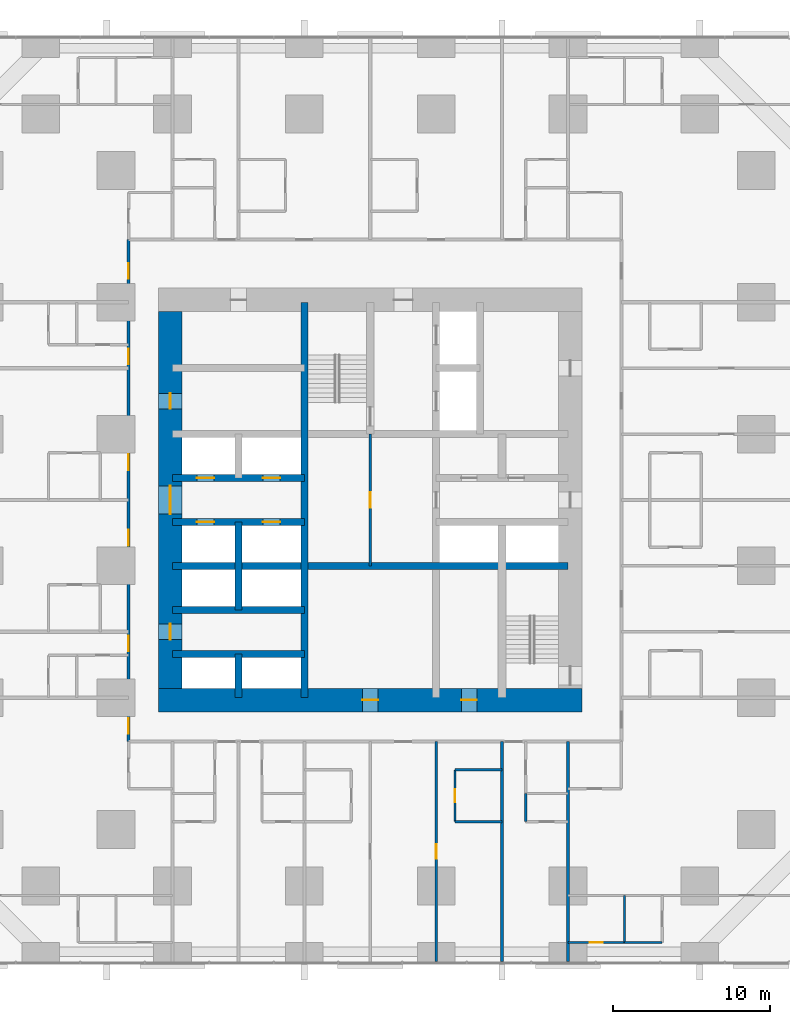
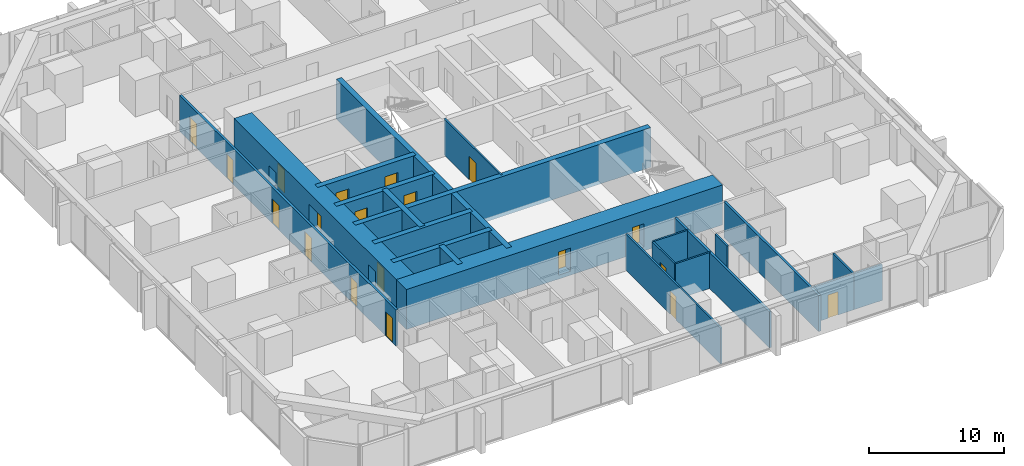
# One storey, part 12 of 17: 22 walls, 19 doors, 19 openings.
"""IFC4 building model written with IfcOpenShell, lengths in metres."""

from ifc_helpers import new_model, si_unit, direction, frame, frame_2d, origin, place, context, subcontext, project, spatial, rectangle, extrude, material, layer, layer_set, type_object, element, fill, save


model = new_model("IFC4")

# Units and contexts
model_context = context("Model", 3, precision=1e-05, world=origin(), true_north=direction((0.0, 1.0)))
body_context = subcontext(model_context, "Body", "Model", "MODEL_VIEW")
ifc_project = project(units=[si_unit("LENGTHUNIT", "METRE"), si_unit("AREAUNIT", "SQUARE_METRE"), si_unit("VOLUMEUNIT", "CUBIC_METRE"), si_unit("PLANEANGLEUNIT", "RADIAN"), si_unit("MASSUNIT", "GRAM", prefix="KILO")], contexts=[model_context])

# Site, building, storey
site_placement = place(None, origin())
site = spatial("IfcSite", under=ifc_project, at=site_placement, CompositionType="ELEMENT")
building_placement = place(site_placement, origin())
building = spatial("IfcBuilding", under=site, at=building_placement, Name="Dunama Terrace Hotel", CompositionType="ELEMENT")
storey_placement = place(building_placement, frame((0.0, 0.0, 81.0)))
storey = spatial("IfcBuildingStorey", under=building, at=storey_placement, Name="L20", CompositionType="ELEMENT", Elevation=81.0)

# Wall, opening, door
ifc_material_1 = material(Name="Gypsum board partition", Category="masonry")
ifc_layer_1 = layer(ifc_material_1, 0.14990234375)
ifc_layer_set_1 = layer_set([ifc_layer_1], Name="Bathroom partition 150")
wall_type_1 = type_object("IfcWallType", Name="Bathroom partition 150", PredefinedType="PARTITIONING", material=ifc_layer_set_1)
wall_1_placement = place(storey_placement, frame((34.800048828125, 8.89990234375, 0.0), z_axis=(0.0, 0.0, 1.0), x_axis=(0.0, 1.0, 0.0)))
wall_1 = element("IfcWall", 1, at=wall_1_placement, inside=storey, type_object=wall_type_1, Name="Bathroom partition 150 L20", PredefinedType="PARTITIONING", context=body_context, shape_type="SweptSolid", body=[
    extrude(rectangle(XDim=3.300048828125, YDim=0.14990234375, at=frame_2d((1.64990234375, 0.0))), origin(), (0.0, 0.0, 1.0), 3.25),
])
opening_1_placement = place(wall_1_placement, frame((1.22509765625, 0.0, 0.0)))
opening_1 = element("IfcOpeningElement", 2, at=opening_1_placement, cuts=wall_1, Name="Opening L20-019", PredefinedType="OPENING", context=body_context, shape_type="SweptSolid", body=[
    extrude(rectangle(XDim=0.85009765625, YDim=2.10009765625, at=frame_2d((0.425048828125, 1.050048828125))), frame((0.0, 0.0849609375, 0.0), z_axis=(0.0, -1.0, 0.0), x_axis=(1.0, 0.0, 0.0)), (0.0, 0.0, 1.0), 0.169921875),
])
ifc_material_2 = material(Name="Timber door with steel frame", Category="steel")
door_type_1 = type_object("IfcDoorType", Name="Bathroom door 850", OperationType="SINGLE_SWING_LEFT", PredefinedType="DOOR", material=ifc_material_2)
door_1_placement = place(opening_1_placement, frame((0.85009765625, 0.0, 0.0), z_axis=(0.0, 0.0, 1.0), x_axis=(-1.0, 0.0, 0.0)))
door_1 = element("IfcDoor", 3, at=door_1_placement, inside=storey, type_object=door_type_1, Name="Door to en-suite bathroom L20-019, type D2", OperationType="SINGLE_SWING_RIGHT", OverallHeight=2.10009765625, OverallWidth=0.85009765625, PredefinedType="DOOR", context=body_context, shape_type="SweptSolid", body=[
    extrude(rectangle(XDim=0.85009765625, YDim=2.10009765625, at=frame_2d((0.425048828125, 1.050048828125))), frame((0.0, 0.025146484375, 0.0), z_axis=(0.0, -1.0, 0.0), x_axis=(1.0, 0.0, 0.0)), (0.0, 0.0, 1.0), 0.050048828125),
])
fill(opening_1, door_1)

wall_2_placement = place(storey_placement, frame((42.0, 1.199951171875, 0.0), z_axis=(0.0, 0.0, 1.0), x_axis=(1.0, 0.0, 0.0)))
wall_2 = element("IfcWall", 4, at=wall_2_placement, inside=storey, type_object=wall_type_1, Name="Bathroom partition 150 L20", PredefinedType="PARTITIONING", context=body_context, shape_type="SweptSolid", body=[
    extrude(rectangle(XDim=3.60009765625, YDim=0.14990234375, at=frame_2d((1.800048828125, 0.0))), origin(), (0.0, 0.0, 1.0), 3.25),
])
opening_2_placement = place(wall_2_placement, frame((1.375, 0.0, 0.0)))
opening_2 = element("IfcOpeningElement", 5, at=opening_2_placement, cuts=wall_2, Name="Opening L20-061", PredefinedType="OPENING", context=body_context, shape_type="SweptSolid", body=[
    extrude(rectangle(XDim=0.85009765625, YDim=2.10009765625, at=frame_2d((0.425048828125, 1.050048828125))), frame((0.0, 0.0849609375, 0.0), z_axis=(0.0, -1.0, 0.0), x_axis=(1.0, 0.0, 0.0)), (0.0, 0.0, 1.0), 0.169921875),
])
door_2_placement = place(opening_2_placement, origin())
door_2 = element("IfcDoor", 6, at=door_2_placement, inside=storey, type_object=door_type_1, Name="Door to en-suite bathroom L20-061, type D2", OperationType="SINGLE_SWING_LEFT", OverallHeight=2.10009765625, OverallWidth=0.85009765625, PredefinedType="DOOR", context=body_context, shape_type="SweptSolid", body=[
    extrude(rectangle(XDim=0.85009765625, YDim=2.10009765625, at=frame_2d((0.425048828125, 1.050048828125))), frame((0.0, 0.02490234375, 0.0), z_axis=(0.0, -1.0, 0.0), x_axis=(1.0, 0.0, 0.0)), (0.0, 0.0, 1.0), 0.050048828125),
])
fill(opening_2, door_2)

# Walls
for number, where, z_axis, x_axis, name in (
    (7, (34.800048828125, 8.89990234375, 0.0), (0.0, 0.0, 1.0), (1.0, 0.0, 0.0), "Bathroom partition 150 L20"),
    (8, (34.800048828125, 12.199951171875, 0.0), (0.0, 0.0, 1.0), (1.0, 0.0, 0.0), "Bathroom partition 150 L20"),
):
    element("IfcWall", number, at=place(storey_placement, frame(where, z_axis=z_axis, x_axis=x_axis)), inside=storey, type_object=wall_type_1, Name=name, PredefinedType="PARTITIONING", context=body_context, shape_type="SweptSolid", body=[
        extrude(rectangle(XDim=3.0, YDim=0.14990234375, at=frame_2d((1.5, 0.0))), origin(), (0.0, 0.0, 1.0), 3.25),
    ])
ifc_material_3 = material(Name="Concrete C50/60", Category="concrete")
ifc_layer_2 = layer(ifc_material_3, 0.449951171875)
ifc_layer_set_2 = layer_set([ifc_layer_2], Name="Core inner wall 450")
wall_type_2 = type_object("IfcWallType", Name="Core inner wall 450", PredefinedType="SHEAR", material=ifc_layer_set_2)
wall_3_placement = place(storey_placement, frame((21.0, 16.800048828125, -0.35009765625), z_axis=(0.0, 0.0, 1.0), x_axis=(0.0, 1.0, 0.0)))
element("IfcWall", 9, at=wall_3_placement, inside=storey, type_object=wall_type_2, Name="Core inner wall 450 L20", PredefinedType="SHEAR", context=body_context, shape_type="SweptSolid", body=[
    extrude(rectangle(XDim=2.800048828125, YDim=0.449951171875, at=frame_2d((1.39990234375, 0.0))), origin(), (0.0, 0.0, 1.0), 3.60009765625),
])
wall_4_placement = place(storey_placement, frame((21.0, 22.39990234375, -0.35009765625), z_axis=(0.0, 0.0, 1.0), x_axis=(0.0, 1.0, 0.0)))
element("IfcWall", 10, at=wall_4_placement, inside=storey, type_object=wall_type_2, Name="Core inner wall 450 L20", PredefinedType="SHEAR", context=body_context, shape_type="SweptSolid", body=[
    extrude(rectangle(XDim=5.60009765625, YDim=0.449951171875, at=frame_2d((2.800048828125, 0.0))), origin(), (0.0, 0.0, 1.0), 3.60009765625),
])
wall_5_placement = place(storey_placement, frame((25.199951171875, 16.800048828125, -0.35009765625), z_axis=(0.0, 0.0, 1.0), x_axis=(0.0, 1.0, 0.0)))
element("IfcWall", 11, at=wall_5_placement, inside=storey, type_object=wall_type_2, Name="Core inner wall 450 L20", PredefinedType="SHEAR", context=body_context, shape_type="SweptSolid", body=[
    extrude(rectangle(XDim=25.199951171875, YDim=0.449951171875, at=frame_2d((12.60009765625, 0.0))), origin(), (0.0, 0.0, 1.0), 3.60009765625),
])
for number, where, z_axis, x_axis, name in (
    (12, (16.800048828125, 19.60009765625, -0.35009765625), (0.0, 0.0, 1.0), (1.0, 0.0, 0.0), "Core inner wall 450 L20"),
    (13, (16.800048828125, 22.39990234375, -0.35009765625), (0.0, 0.0, 1.0), (1.0, 0.0, 0.0), "Core inner wall 450 L20"),
):
    element("IfcWall", number, at=place(storey_placement, frame(where, z_axis=z_axis, x_axis=x_axis)), inside=storey, type_object=wall_type_2, Name=name, PredefinedType="SHEAR", context=body_context, shape_type="SweptSolid", body=[
        extrude(rectangle(XDim=8.39990234375, YDim=0.449951171875, at=frame_2d((4.199951171875, 0.0))), origin(), (0.0, 0.0, 1.0), 3.60009765625),
    ])
wall_6_placement = place(storey_placement, frame((16.800048828125, 25.199951171875, -0.35009765625), z_axis=(0.0, 0.0, 1.0), x_axis=(1.0, 0.0, 0.0)))
element("IfcWall", 14, at=wall_6_placement, inside=storey, type_object=wall_type_2, Name="Core inner wall 450 L20", PredefinedType="SHEAR", context=body_context, shape_type="SweptSolid", body=[
    extrude(rectangle(XDim=25.199951171875, YDim=0.449951171875, at=frame_2d((12.60009765625, 0.0))), origin(), (0.0, 0.0, 1.0), 3.60009765625),
])

# Wall, openings, doors
wall_7_placement = place(storey_placement, frame((16.800048828125, 28.0, -0.35009765625), z_axis=(0.0, 0.0, 1.0), x_axis=(1.0, 0.0, 0.0)))
wall_7 = element("IfcWall", 15, at=wall_7_placement, inside=storey, type_object=wall_type_2, Name="Core inner wall 450 L20", PredefinedType="SHEAR", context=body_context, shape_type="SweptSolid", body=[
    extrude(rectangle(XDim=8.39990234375, YDim=0.449951171875, at=frame_2d((4.199951171875, 0.0))), origin(), (0.0, 0.0, 1.0), 3.60009765625),
])
opening_3_placement = place(wall_7_placement, frame((1.550048828125, 0.0, 0.35009765625)))
opening_3 = element("IfcOpeningElement", 16, at=opening_3_placement, cuts=wall_7, Name="Opening L20-003", PredefinedType="OPENING", context=body_context, shape_type="SweptSolid", body=[
    extrude(rectangle(XDim=1.10009765625, YDim=2.199951171875, at=frame_2d((0.550048828125, 1.10009765625))), frame((0.0, 0.23486328125, 0.0), z_axis=(0.0, -1.0, 0.0), x_axis=(1.0, 0.0, 0.0)), (0.0, 0.0, 1.0), 0.469970703125),
])
opening_4_placement = place(wall_7_placement, frame((5.75, 0.0, 0.35009765625)))
opening_4 = element("IfcOpeningElement", 17, at=opening_4_placement, cuts=wall_7, Name="Opening L20-004", PredefinedType="OPENING", context=body_context, shape_type="SweptSolid", body=[
    extrude(rectangle(XDim=1.10009765625, YDim=2.199951171875, at=frame_2d((0.550048828125, 1.10009765625))), frame((0.0, 0.23486328125, 0.0), z_axis=(0.0, -1.0, 0.0), x_axis=(1.0, 0.0, 0.0)), (0.0, 0.0, 1.0), 0.469970703125),
])
ifc_material_4 = material(Name="Stainless steel lift door", Category="steel")
door_type_2 = type_object("IfcDoorType", Name="Lift landing door 1100", OperationType="DOUBLE_DOOR_SLIDING", PredefinedType="DOOR", material=ifc_material_4)
door_3_placement = place(opening_3_placement, origin())
door_3 = element("IfcDoor", 18, at=door_3_placement, inside=storey, type_object=door_type_2, Name="Landing door PA1 L20-003, type LD1", OperationType="DOUBLE_DOOR_SLIDING", OverallHeight=2.199951171875, OverallWidth=1.10009765625, PredefinedType="DOOR", context=body_context, shape_type="SweptSolid", body=[
    extrude(rectangle(XDim=1.10009765625, YDim=2.199951171875, at=frame_2d((0.550048828125, 1.10009765625))), frame((0.0, 0.02490234375, 0.0), z_axis=(0.0, -1.0, 0.0), x_axis=(1.0, 0.0, 0.0)), (0.0, 0.0, 1.0), 0.050048828125),
])
fill(opening_3, door_3)
door_4_placement = place(opening_4_placement, origin())
door_4 = element("IfcDoor", 19, at=door_4_placement, inside=storey, type_object=door_type_2, Name="Landing door PA2 L20-004, type LD1", OperationType="DOUBLE_DOOR_SLIDING", OverallHeight=2.199951171875, OverallWidth=1.10009765625, PredefinedType="DOOR", context=body_context, shape_type="SweptSolid", body=[
    extrude(rectangle(XDim=1.10009765625, YDim=2.199951171875, at=frame_2d((0.550048828125, 1.10009765625))), frame((0.0, 0.02490234375, 0.0), z_axis=(0.0, -1.0, 0.0), x_axis=(1.0, 0.0, 0.0)), (0.0, 0.0, 1.0), 0.050048828125),
])
fill(opening_4, door_4)

wall_8_placement = place(storey_placement, frame((16.800048828125, 30.800048828125, -0.35009765625), z_axis=(0.0, 0.0, 1.0), x_axis=(1.0, 0.0, 0.0)))
wall_8 = element("IfcWall", 20, at=wall_8_placement, inside=storey, type_object=wall_type_2, Name="Core inner wall 450 L20", PredefinedType="SHEAR", context=body_context, shape_type="SweptSolid", body=[
    extrude(rectangle(XDim=8.39990234375, YDim=0.449951171875, at=frame_2d((4.199951171875, 0.0))), origin(), (0.0, 0.0, 1.0), 3.60009765625),
])
opening_5_placement = place(wall_8_placement, frame((1.550048828125, 0.0, 0.35009765625)))
opening_5 = element("IfcOpeningElement", 21, at=opening_5_placement, cuts=wall_8, Name="Opening L20-005", PredefinedType="OPENING", context=body_context, shape_type="SweptSolid", body=[
    extrude(rectangle(XDim=1.10009765625, YDim=2.199951171875, at=frame_2d((0.550048828125, 1.10009765625))), frame((0.0, 0.23486328125, 0.0), z_axis=(0.0, -1.0, 0.0), x_axis=(1.0, 0.0, 0.0)), (0.0, 0.0, 1.0), 0.469970703125),
])
opening_6_placement = place(wall_8_placement, frame((5.75, 0.0, 0.35009765625)))
opening_6 = element("IfcOpeningElement", 22, at=opening_6_placement, cuts=wall_8, Name="Opening L20-006", PredefinedType="OPENING", context=body_context, shape_type="SweptSolid", body=[
    extrude(rectangle(XDim=1.10009765625, YDim=2.199951171875, at=frame_2d((0.550048828125, 1.10009765625))), frame((0.0, 0.23486328125, 0.0), z_axis=(0.0, -1.0, 0.0), x_axis=(1.0, 0.0, 0.0)), (0.0, 0.0, 1.0), 0.469970703125),
])
door_5_placement = place(opening_5_placement, origin())
door_5 = element("IfcDoor", 23, at=door_5_placement, inside=storey, type_object=door_type_2, Name="Landing door PA3 L20-005, type LD1", OperationType="DOUBLE_DOOR_SLIDING", OverallHeight=2.199951171875, OverallWidth=1.10009765625, PredefinedType="DOOR", context=body_context, shape_type="SweptSolid", body=[
    extrude(rectangle(XDim=1.10009765625, YDim=2.199951171875, at=frame_2d((0.550048828125, 1.10009765625))), frame((0.0, 0.02490234375, 0.0), z_axis=(0.0, -1.0, 0.0), x_axis=(1.0, 0.0, 0.0)), (0.0, 0.0, 1.0), 0.050048828125),
])
fill(opening_5, door_5)
door_6_placement = place(opening_6_placement, origin())
door_6 = element("IfcDoor", 24, at=door_6_placement, inside=storey, type_object=door_type_2, Name="Landing door PA4 L20-006, type LD1", OperationType="DOUBLE_DOOR_SLIDING", OverallHeight=2.199951171875, OverallWidth=1.10009765625, PredefinedType="DOOR", context=body_context, shape_type="SweptSolid", body=[
    extrude(rectangle(XDim=1.10009765625, YDim=2.199951171875, at=frame_2d((0.550048828125, 1.10009765625))), frame((0.0, 0.02490234375, 0.0), z_axis=(0.0, -1.0, 0.0), x_axis=(1.0, 0.0, 0.0)), (0.0, 0.0, 1.0), 0.050048828125),
])
fill(opening_6, door_6)

ifc_material_5 = material(Name="Concrete C60/75", Category="concrete")
ifc_layer_3 = layer(ifc_material_5, 1.5)
ifc_layer_set_3 = layer_set([ifc_layer_3], Name="Core wall 1500")
wall_type_3 = type_object("IfcWallType", Name="Core wall 1500", PredefinedType="SHEAR", material=ifc_layer_set_3)
wall_9_placement = place(storey_placement, frame((15.89990234375, 16.64990234375, -0.35009765625), z_axis=(0.0, 0.0, 1.0), x_axis=(1.0, 0.0, 0.0)))
wall_9 = element("IfcWall", 25, at=wall_9_placement, inside=storey, type_object=wall_type_3, Name="Core wall south L20", PredefinedType="SHEAR", context=body_context, shape_type="SweptSolid", body=[
    extrude(rectangle(XDim=27.0, YDim=1.5, at=frame_2d((13.5, 0.0))), origin(), (0.0, 0.0, 1.0), 3.60009765625),
])
opening_7_placement = place(wall_9_placement, frame((13.0, 0.0, 0.35009765625)))
opening_7 = element("IfcOpeningElement", 26, at=opening_7_placement, cuts=wall_9, Name="Opening L20-084", PredefinedType="OPENING", context=body_context, shape_type="SweptSolid", body=[
    extrude(rectangle(XDim=1.0, YDim=2.10009765625, at=frame_2d((0.5, 1.050048828125))), frame((0.0, 0.760009765625, 0.0), z_axis=(0.0, -1.0, 0.0), x_axis=(1.0, 0.0, 0.0)), (0.0, 0.0, 1.0), 1.52001953125),
])
opening_8_placement = place(wall_9_placement, frame((19.300048828125, 0.0, 0.35009765625)))
opening_8 = element("IfcOpeningElement", 27, at=opening_8_placement, cuts=wall_9, Name="Opening L20-085", PredefinedType="OPENING", context=body_context, shape_type="SweptSolid", body=[
    extrude(rectangle(XDim=1.0, YDim=2.10009765625, at=frame_2d((0.5, 1.050048828125))), frame((0.0, 0.760009765625, 0.0), z_axis=(0.0, -1.0, 0.0), x_axis=(1.0, 0.0, 0.0)), (0.0, 0.0, 1.0), 1.52001953125),
])
ifc_material_6 = material(Name="Timber door with steel frame", Category="steel")
door_type_3 = type_object("IfcDoorType", Name="Service door 1000", OperationType="SINGLE_SWING_LEFT", PredefinedType="DOOR", material=ifc_material_6)
door_7_placement = place(opening_7_placement, origin())
door_7 = element("IfcDoor", 28, at=door_7_placement, inside=storey, type_object=door_type_3, Name="Door to corridor air handling room L20-084, type D7", OperationType="SINGLE_SWING_LEFT", OverallHeight=2.10009765625, OverallWidth=1.0, PredefinedType="DOOR", context=body_context, shape_type="SweptSolid", body=[
    extrude(rectangle(XDim=1.0, YDim=2.10009765625, at=frame_2d((0.5, 1.050048828125))), frame((0.0, 0.02490234375, 0.0), z_axis=(0.0, -1.0, 0.0), x_axis=(1.0, 0.0, 0.0)), (0.0, 0.0, 1.0), 0.050048828125),
])
fill(opening_7, door_7)
door_8_placement = place(opening_8_placement, origin())
door_8 = element("IfcDoor", 29, at=door_8_placement, inside=storey, type_object=door_type_3, Name="Door to water riser room L20-085, type D7", OperationType="SINGLE_SWING_RIGHT", OverallHeight=2.10009765625, OverallWidth=1.0, PredefinedType="DOOR", context=body_context, shape_type="SweptSolid", body=[
    extrude(rectangle(XDim=1.0, YDim=2.10009765625, at=frame_2d((0.5, 1.050048828125))), frame((0.0, 0.02490234375, 0.0), z_axis=(0.0, -1.0, 0.0), x_axis=(1.0, 0.0, 0.0)), (0.0, 0.0, 1.0), 0.050048828125),
])
fill(opening_8, door_8)

wall_10_placement = place(storey_placement, frame((16.64990234375, 41.39990234375, -0.35009765625), z_axis=(0.0, 0.0, 1.0), x_axis=(0.0, -1.0, 0.0)))
wall_10 = element("IfcWall", 30, at=wall_10_placement, inside=storey, type_object=wall_type_3, Name="Core wall west L20", PredefinedType="SHEAR", context=body_context, shape_type="SweptSolid", body=[
    extrude(rectangle(XDim=24.0, YDim=1.5, at=frame_2d((12.0, 0.0))), origin(), (0.0, 0.0, 1.0), 3.60009765625),
])
opening_9_placement = place(wall_10_placement, frame((11.10009765625, 0.0, 0.35009765625)))
opening_9 = element("IfcOpeningElement", 31, at=opening_9_placement, cuts=wall_10, Name="Opening L20-073", PredefinedType="OPENING", context=body_context, shape_type="SweptSolid", body=[
    extrude(rectangle(XDim=1.800048828125, YDim=2.199951171875, at=frame_2d((0.89990234375, 1.10009765625))), frame((0.0, 0.760009765625, 0.0), z_axis=(0.0, -1.0, 0.0), x_axis=(1.0, 0.0, 0.0)), (0.0, 0.0, 1.0), 1.52001953125),
])
opening_10_placement = place(wall_10_placement, frame((19.89990234375, 0.0, 0.35009765625)))
opening_10 = element("IfcOpeningElement", 32, at=opening_10_placement, cuts=wall_10, Name="Opening L20-074", PredefinedType="OPENING", context=body_context, shape_type="SweptSolid", body=[
    extrude(rectangle(XDim=1.0, YDim=2.10009765625, at=frame_2d((0.5, 1.050048828125))), frame((0.0, 0.760009765625, 0.0), z_axis=(0.0, -1.0, 0.0), x_axis=(1.0, 0.0, 0.0)), (0.0, 0.0, 1.0), 1.52001953125),
])
opening_11_placement = place(wall_10_placement, frame((5.199951171875, 0.0, 0.35009765625)))
opening_11 = element("IfcOpeningElement", 33, at=opening_11_placement, cuts=wall_10, Name="Opening L20-075", PredefinedType="OPENING", context=body_context, shape_type="SweptSolid", body=[
    extrude(rectangle(XDim=1.0, YDim=2.10009765625, at=frame_2d((0.5, 1.050048828125))), frame((0.0, 0.760009765625, 0.0), z_axis=(0.0, -1.0, 0.0), x_axis=(1.0, 0.0, 0.0)), (0.0, 0.0, 1.0), 1.52001953125),
])
ifc_material_7 = material(Name="Timber door with steel frame", Category="steel")
door_type_4 = type_object("IfcDoorType", Name="Lift lobby double door 1800", OperationType="DOUBLE_DOOR_DOUBLE_SWING", PredefinedType="DOOR", material=ifc_material_7)
door_9_placement = place(opening_9_placement, origin())
door_9 = element("IfcDoor", 34, at=door_9_placement, inside=storey, type_object=door_type_4, Name="Door to lift lobby L20-073, type D3", OperationType="DOUBLE_DOOR_DOUBLE_SWING", OverallHeight=2.199951171875, OverallWidth=1.800048828125, PredefinedType="DOOR", context=body_context, shape_type="SweptSolid", body=[
    extrude(rectangle(XDim=1.800048828125, YDim=2.199951171875, at=frame_2d((0.89990234375, 1.10009765625))), frame((0.0, 0.02490234375, 0.0), z_axis=(0.0, -1.0, 0.0), x_axis=(1.0, 0.0, 0.0)), (0.0, 0.0, 1.0), 0.050048828125),
])
fill(opening_9, door_9)
door_10_placement = place(opening_10_placement, origin())
door_10 = element("IfcDoor", 35, at=door_10_placement, inside=storey, type_object=door_type_3, Name="Door to service lobby L20-074, type D7", OperationType="SINGLE_SWING_LEFT", OverallHeight=2.10009765625, OverallWidth=1.0, PredefinedType="DOOR", context=body_context, shape_type="SweptSolid", body=[
    extrude(rectangle(XDim=1.0, YDim=2.10009765625, at=frame_2d((0.5, 1.050048828125))), frame((0.0, 0.02490234375, 0.0), z_axis=(0.0, -1.0, 0.0), x_axis=(1.0, 0.0, 0.0)), (0.0, 0.0, 1.0), 0.050048828125),
])
fill(opening_10, door_10)
door_11_placement = place(opening_11_placement, origin())
door_11 = element("IfcDoor", 36, at=door_11_placement, inside=storey, type_object=door_type_3, Name="Door to electrical room L20-075, type D7", OperationType="SINGLE_SWING_RIGHT", OverallHeight=2.10009765625, OverallWidth=1.0, PredefinedType="DOOR", context=body_context, shape_type="SweptSolid", body=[
    extrude(rectangle(XDim=1.0, YDim=2.10009765625, at=frame_2d((0.5, 1.050048828125))), frame((0.0, 0.02490234375, 0.0), z_axis=(0.0, -1.0, 0.0), x_axis=(1.0, 0.0, 0.0)), (0.0, 0.0, 1.0), 0.050048828125),
])
fill(opening_11, door_11)

ifc_material_8 = material(Name="Concrete blockwork", Category="masonry")
ifc_layer_4 = layer(ifc_material_8, 0.199951171875)
ifc_layer_set_4 = layer_set([ifc_layer_4], Name="Corridor partition 200")
wall_type_4 = type_object("IfcWallType", Name="Corridor partition 200", PredefinedType="PARTITIONING", material=ifc_layer_set_4)
wall_11_placement = place(storey_placement, frame((14.0, 14.0, 0.0), z_axis=(0.0, 0.0, 1.0), x_axis=(0.0, 1.0, 0.0)))
wall_11 = element("IfcWall", 37, at=wall_11_placement, inside=storey, type_object=wall_type_4, Name="Corridor partition 200 L20", PredefinedType="PARTITIONING", context=body_context, shape_type="SweptSolid", body=[
    extrude(rectangle(XDim=32.0, YDim=0.199951171875, at=frame_2d((16.0, 0.0))), origin(), (0.0, 0.0, 1.0), 3.25),
])
opening_12_placement = place(wall_11_placement, frame((5.75, 0.0, 0.0)))
opening_12 = element("IfcOpeningElement", 38, at=opening_12_placement, cuts=wall_11, Name="Opening L20-043", PredefinedType="OPENING", context=body_context, shape_type="SweptSolid", body=[
    extrude(rectangle(XDim=1.0, YDim=2.199951171875, at=frame_2d((0.5, 1.10009765625))), frame((0.0, 0.10986328125, 0.0), z_axis=(0.0, -1.0, 0.0), x_axis=(1.0, 0.0, 0.0)), (0.0, 0.0, 1.0), 0.219970703125),
])
opening_13_placement = place(wall_11_placement, frame((12.5, 0.0, 0.0)))
opening_13 = element("IfcOpeningElement", 39, at=opening_13_placement, cuts=wall_11, Name="Opening L20-046", PredefinedType="OPENING", context=body_context, shape_type="SweptSolid", body=[
    extrude(rectangle(XDim=1.0, YDim=2.199951171875, at=frame_2d((0.5, 1.10009765625))), frame((0.0, 0.10986328125, 0.0), z_axis=(0.0, -1.0, 0.0), x_axis=(1.0, 0.0, 0.0)), (0.0, 0.0, 1.0), 0.219970703125),
])
opening_14_placement = place(wall_11_placement, frame((17.300048828125, 0.0, 0.0)))
opening_14 = element("IfcOpeningElement", 40, at=opening_14_placement, cuts=wall_11, Name="Opening L20-048", PredefinedType="OPENING", context=body_context, shape_type="SweptSolid", body=[
    extrude(rectangle(XDim=1.0, YDim=2.199951171875, at=frame_2d((0.5, 1.10009765625))), frame((0.0, 0.10986328125, 0.0), z_axis=(0.0, -1.0, 0.0), x_axis=(1.0, 0.0, 0.0)), (0.0, 0.0, 1.0), 0.219970703125),
])
opening_15_placement = place(wall_11_placement, frame((24.050048828125, 0.0, 0.0)))
opening_15 = element("IfcOpeningElement", 41, at=opening_15_placement, cuts=wall_11, Name="Opening L20-050", PredefinedType="OPENING", context=body_context, shape_type="SweptSolid", body=[
    extrude(rectangle(XDim=1.0, YDim=2.199951171875, at=frame_2d((0.5, 1.10009765625))), frame((0.0, 0.10986328125, 0.0), z_axis=(0.0, -1.0, 0.0), x_axis=(1.0, 0.0, 0.0)), (0.0, 0.0, 1.0), 0.219970703125),
])
opening_16_placement = place(wall_11_placement, frame((0.5, 0.0, 0.0)))
opening_16 = element("IfcOpeningElement", 42, at=opening_16_placement, cuts=wall_11, Name="Opening L20-053", PredefinedType="OPENING", context=body_context, shape_type="SweptSolid", body=[
    extrude(rectangle(XDim=1.0, YDim=2.199951171875, at=frame_2d((0.5, 1.10009765625))), frame((0.0, 0.10986328125, 0.0), z_axis=(0.0, -1.0, 0.0), x_axis=(1.0, 0.0, 0.0)), (0.0, 0.0, 1.0), 0.219970703125),
])
opening_17_placement = place(wall_11_placement, frame((29.5, 0.0, 0.0)))
opening_17 = element("IfcOpeningElement", 43, at=opening_17_placement, cuts=wall_11, Name="Opening L20-068", PredefinedType="OPENING", context=body_context, shape_type="SweptSolid", body=[
    extrude(rectangle(XDim=1.0, YDim=2.199951171875, at=frame_2d((0.5, 1.10009765625))), frame((0.0, 0.10986328125, 0.0), z_axis=(0.0, -1.0, 0.0), x_axis=(1.0, 0.0, 0.0)), (0.0, 0.0, 1.0), 0.219970703125),
])
ifc_material_9 = material(Name="Timber door with steel frame", Category="steel")
door_type_5 = type_object("IfcDoorType", Name="Guest room door 1000", OperationType="SINGLE_SWING_LEFT", PredefinedType="DOOR", material=ifc_material_9)
door_12_placement = place(opening_12_placement, origin())
door_12 = element("IfcDoor", 44, at=door_12_placement, inside=storey, type_object=door_type_5, Name="Door to deluxe room L20-043, type D1", OperationType="SINGLE_SWING_RIGHT", OverallHeight=2.199951171875, OverallWidth=1.0, PredefinedType="DOOR", context=body_context, shape_type="SweptSolid", body=[
    extrude(rectangle(XDim=1.0, YDim=2.199951171875, at=frame_2d((0.5, 1.10009765625))), frame((0.0, 0.02490234375, 0.0), z_axis=(0.0, -1.0, 0.0), x_axis=(1.0, 0.0, 0.0)), (0.0, 0.0, 1.0), 0.050048828125),
])
fill(opening_12, door_12)
door_13_placement = place(opening_13_placement, origin())
door_13 = element("IfcDoor", 45, at=door_13_placement, inside=storey, type_object=door_type_5, Name="Door to junior suite L20-046, type D1", OperationType="SINGLE_SWING_LEFT", OverallHeight=2.199951171875, OverallWidth=1.0, PredefinedType="DOOR", context=body_context, shape_type="SweptSolid", body=[
    extrude(rectangle(XDim=1.0, YDim=2.199951171875, at=frame_2d((0.5, 1.10009765625))), frame((0.0, 0.02490234375, 0.0), z_axis=(0.0, -1.0, 0.0), x_axis=(1.0, 0.0, 0.0)), (0.0, 0.0, 1.0), 0.050048828125),
])
fill(opening_13, door_13)
door_14_placement = place(opening_14_placement, origin())
door_14 = element("IfcDoor", 46, at=door_14_placement, inside=storey, type_object=door_type_5, Name="Door to junior suite L20-048, type D1", OperationType="SINGLE_SWING_RIGHT", OverallHeight=2.199951171875, OverallWidth=1.0, PredefinedType="DOOR", context=body_context, shape_type="SweptSolid", body=[
    extrude(rectangle(XDim=1.0, YDim=2.199951171875, at=frame_2d((0.5, 1.10009765625))), frame((0.0, 0.02490234375, 0.0), z_axis=(0.0, -1.0, 0.0), x_axis=(1.0, 0.0, 0.0)), (0.0, 0.0, 1.0), 0.050048828125),
])
fill(opening_14, door_14)
door_15_placement = place(opening_15_placement, origin())
door_15 = element("IfcDoor", 47, at=door_15_placement, inside=storey, type_object=door_type_5, Name="Door to deluxe room L20-050, type D1", OperationType="SINGLE_SWING_LEFT", OverallHeight=2.199951171875, OverallWidth=1.0, PredefinedType="DOOR", context=body_context, shape_type="SweptSolid", body=[
    extrude(rectangle(XDim=1.0, YDim=2.199951171875, at=frame_2d((0.5, 1.10009765625))), frame((0.0, 0.02490234375, 0.0), z_axis=(0.0, -1.0, 0.0), x_axis=(1.0, 0.0, 0.0)), (0.0, 0.0, 1.0), 0.050048828125),
])
fill(opening_15, door_15)
door_16_placement = place(opening_16_placement, origin())
door_16 = element("IfcDoor", 48, at=door_16_placement, inside=storey, type_object=door_type_5, Name="Door to corner suite living room L20-053, type D1", OperationType="SINGLE_SWING_RIGHT", OverallHeight=2.199951171875, OverallWidth=1.0, PredefinedType="DOOR", context=body_context, shape_type="SweptSolid", body=[
    extrude(rectangle(XDim=1.0, YDim=2.199951171875, at=frame_2d((0.5, 1.10009765625))), frame((0.0, 0.02490234375, 0.0), z_axis=(0.0, -1.0, 0.0), x_axis=(1.0, 0.0, 0.0)), (0.0, 0.0, 1.0), 0.050048828125),
])
fill(opening_16, door_16)
door_17_placement = place(opening_17_placement, origin())
door_17 = element("IfcDoor", 49, at=door_17_placement, inside=storey, type_object=door_type_5, Name="Door to corner suite living room L20-068, type D1", OperationType="SINGLE_SWING_LEFT", OverallHeight=2.199951171875, OverallWidth=1.0, PredefinedType="DOOR", context=body_context, shape_type="SweptSolid", body=[
    extrude(rectangle(XDim=1.0, YDim=2.199951171875, at=frame_2d((0.5, 1.10009765625))), frame((0.0, 0.02490234375, 0.0), z_axis=(0.0, -1.0, 0.0), x_axis=(1.0, 0.0, 0.0)), (0.0, 0.0, 1.0), 0.050048828125),
])
fill(opening_17, door_17)

# Walls
ifc_material_10 = material(Name="Concrete blockwork", Category="masonry")
ifc_layer_5 = layer(ifc_material_10, 0.199951171875)
ifc_layer_set_5 = layer_set([ifc_layer_5], Name="Party wall 200")
wall_type_5 = type_object("IfcWallType", Name="Party wall 200", PredefinedType="PARTITIONING", material=ifc_layer_set_5)
for number, where, z_axis, x_axis, name in (
    (50, (37.800048828125, -0.008056640625, 0.0), (0.0, 0.0, 1.0), (0.0, 1.0, 0.0), "Party wall 200 L20"),
    (51, (42.0, -0.008056640625, 0.0), (0.0, 0.0, 1.0), (0.0, 1.0, 0.0), "Party wall 200 L20"),
):
    element("IfcWall", number, at=place(storey_placement, frame(where, z_axis=z_axis, x_axis=x_axis)), inside=storey, type_object=wall_type_5, Name=name, PredefinedType="PARTITIONING", context=body_context, shape_type="SweptSolid", body=[
        extrude(rectangle(XDim=14.008056640625, YDim=0.199951171875, at=frame_2d((7.00390625, 0.0))), origin(), (0.0, 0.0, 1.0), 3.25),
    ])

# Wall, opening, door
ifc_material_11 = material(Name="Gypsum board partition", Category="masonry")
ifc_layer_6 = layer(ifc_material_11, 0.14990234375)
ifc_layer_set_6 = layer_set([ifc_layer_6], Name="Room partition 150")
wall_type_6 = type_object("IfcWallType", Name="Room partition 150", PredefinedType="PARTITIONING", material=ifc_layer_set_6)
wall_12_placement = place(storey_placement, frame((29.39990234375, 25.199951171875, 0.0), z_axis=(0.0, 0.0, 1.0), x_axis=(0.0, 1.0, 0.0)))
wall_12 = element("IfcWall", 52, at=wall_12_placement, inside=storey, type_object=wall_type_6, Name="Room partition 150 L20", PredefinedType="PARTITIONING", context=body_context, shape_type="SweptSolid", body=[
    extrude(rectangle(XDim=8.400146484375, YDim=0.14990234375, at=frame_2d((4.2001953125, 0.0))), origin(), (0.0, 0.0, 1.0), 3.25),
])
opening_18_placement = place(wall_12_placement, frame((3.699951171875, 0.0, 0.0)))
opening_18 = element("IfcOpeningElement", 53, at=opening_18_placement, cuts=wall_12, Name="Opening L20-078", PredefinedType="OPENING", context=body_context, shape_type="SweptSolid", body=[
    extrude(rectangle(XDim=1.0, YDim=2.10009765625, at=frame_2d((0.5, 1.050048828125))), frame((0.0, 0.0849609375, 0.0), z_axis=(0.0, -1.0, 0.0), x_axis=(1.0, 0.0, 0.0)), (0.0, 0.0, 1.0), 0.169921875),
])
door_18_placement = place(opening_18_placement, origin())
door_18 = element("IfcDoor", 54, at=door_18_placement, inside=storey, type_object=door_type_3, Name="Door to luggage store L20-078, type D7", OperationType="SINGLE_SWING_LEFT", OverallHeight=2.10009765625, OverallWidth=1.0, PredefinedType="DOOR", context=body_context, shape_type="SweptSolid", body=[
    extrude(rectangle(XDim=1.0, YDim=2.10009765625, at=frame_2d((0.5, 1.050048828125))), frame((0.0, 0.02490234375, 0.0), z_axis=(0.0, -1.0, 0.0), x_axis=(1.0, 0.0, 0.0)), (0.0, 0.0, 1.0), 0.050048828125),
])
fill(opening_18, door_18)

wall_13_placement = place(storey_placement, frame((33.60009765625, -0.008056640625, 0.0), z_axis=(0.0, 0.0, 1.0), x_axis=(0.0, 1.0, 0.0)))
wall_13 = element("IfcWall", 55, at=wall_13_placement, inside=storey, type_object=wall_type_6, Name="Room partition 150 L20", PredefinedType="PARTITIONING", context=body_context, shape_type="SweptSolid", body=[
    extrude(rectangle(XDim=14.008056640625, YDim=0.14990234375, at=frame_2d((7.00390625, 0.0))), origin(), (0.0, 0.0, 1.0), 3.25),
])
opening_19_placement = place(wall_13_placement, frame((6.55810546875, 0.0, 0.0)))
opening_19 = element("IfcOpeningElement", 56, at=opening_19_placement, cuts=wall_13, Name="Opening L20-018", PredefinedType="OPENING", context=body_context, shape_type="SweptSolid", body=[
    extrude(rectangle(XDim=0.89990234375, YDim=2.10009765625, at=frame_2d((0.449951171875, 1.050048828125))), frame((0.0, 0.0849609375, 0.0), z_axis=(0.0, -1.0, 0.0), x_axis=(1.0, 0.0, 0.0)), (0.0, 0.0, 1.0), 0.169921875),
])
ifc_material_12 = material(Name="Timber door with steel frame", Category="steel")
door_type_6 = type_object("IfcDoorType", Name="Suite internal door 900", OperationType="SINGLE_SWING_LEFT", PredefinedType="DOOR", material=ifc_material_12)
door_19_placement = place(opening_19_placement, frame((0.89990234375, 0.0, 0.0), z_axis=(0.0, 0.0, 1.0), x_axis=(-1.0, 0.0, 0.0)))
door_19 = element("IfcDoor", 57, at=door_19_placement, inside=storey, type_object=door_type_6, Name="Door to family suite second bedroom L20-018, type D16", OperationType="SINGLE_SWING_RIGHT", OverallHeight=2.10009765625, OverallWidth=0.89990234375, PredefinedType="DOOR", context=body_context, shape_type="SweptSolid", body=[
    extrude(rectangle(XDim=0.89990234375, YDim=2.10009765625, at=frame_2d((0.449951171875, 1.050048828125))), frame((0.0, 0.025146484375, 0.0), z_axis=(0.0, -1.0, 0.0), x_axis=(1.0, 0.0, 0.0)), (0.0, 0.0, 1.0), 0.050048828125),
])
fill(opening_19, door_19)

# Walls
wall_14_placement = place(storey_placement, frame((39.300048828125, 8.89990234375, 0.0), z_axis=(0.0, 0.0, 1.0), x_axis=(0.0, 1.0, 0.0)))
element("IfcWall", 58, at=wall_14_placement, inside=storey, type_object=wall_type_6, Name="Room partition 150 L20", PredefinedType="PARTITIONING", context=body_context, shape_type="SweptSolid", body=[
    extrude(rectangle(XDim=1.800048828125, YDim=0.14990234375, at=frame_2d((0.89990234375, 0.0))), origin(), (0.0, 0.0, 1.0), 3.25),
])
wall_15_placement = place(storey_placement, frame((45.60009765625, 1.199951171875, 0.0), z_axis=(0.0, 0.0, 1.0), x_axis=(0.0, 1.0, 0.0)))
element("IfcWall", 59, at=wall_15_placement, inside=storey, type_object=wall_type_6, Name="Room partition 150 L20", PredefinedType="PARTITIONING", context=body_context, shape_type="SweptSolid", body=[
    extrude(rectangle(XDim=3.0, YDim=0.14990234375, at=frame_2d((1.5, 0.0))), origin(), (0.0, 0.0, 1.0), 3.25),
])
wall_16_placement = place(storey_placement, frame((45.60009765625, 1.199951171875, 0.0), z_axis=(0.0, 0.0, 1.0), x_axis=(1.0, 0.0, 0.0)))
element("IfcWall", 60, at=wall_16_placement, inside=storey, type_object=wall_type_6, Name="Room partition 150 L20", PredefinedType="PARTITIONING", context=body_context, shape_type="SweptSolid", body=[
    extrude(rectangle(XDim=2.39990234375, YDim=0.14990234375, at=frame_2d((1.199951171875, 0.0))), origin(), (0.0, 0.0, 1.0), 3.25),
])

save(model, "model.ifc")
